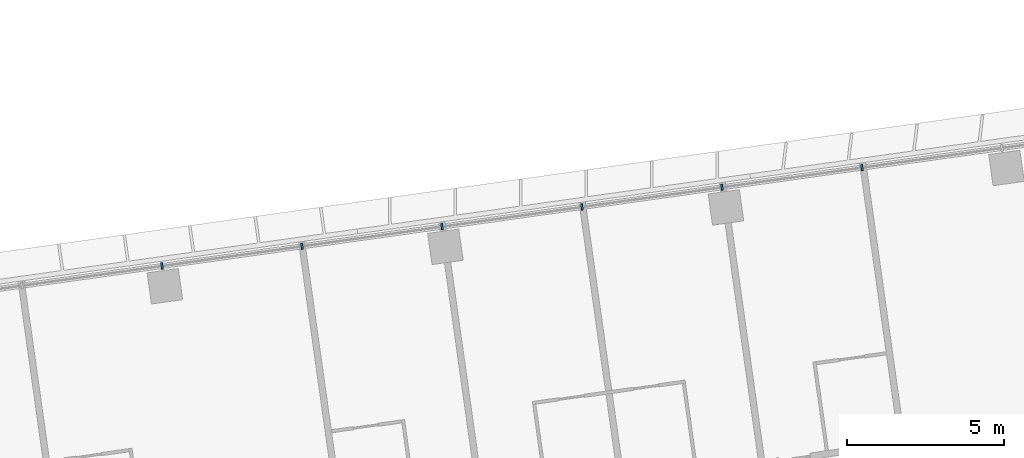
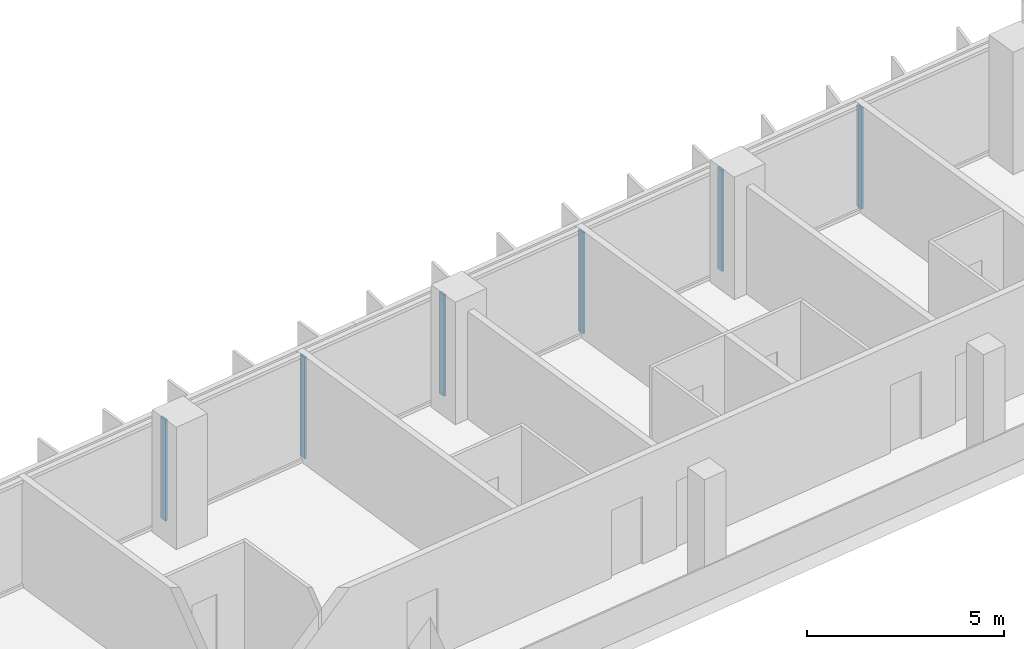
# One storey, part 10 of 25: 6 members, 1 element without a shape of its own.
"""IFC4 building model written with IfcOpenShell, lengths in metres."""

import ifcopenshell
import ifcopenshell.guid

model = None  # the IFC model being written
_history = None  # IfcOwnerHistory: only IFC2X3 demands one
_inside = {}  # id of a spatial element -> (the spatial element, [elements in it])
_under = {}  # id of a project, library or spatial element -> (it, [spatial elements below it])
_declared = {}  # id of a project -> (the project, [libraries it declares])
_typed = {}  # id of a type object -> (the type object, [elements of that type])
_made_of = {}  # id of a material, layer set ... -> (it, [elements and type objects made of it])


def new_model(schema):
    """Start an empty IFC model of exactly this schema.

    Asked for "IFC4X3", IfcOpenShell would pick the latest addendum, in which some entities
    have other attributes; the version numbers below select the first issue.
    IFC2X3 requires an IfcOwnerHistory on every rooted entity: one is made here for all.
    """
    global model, _history
    if schema == "IFC4X3":
        model = ifcopenshell.file(schema_version=(4, 3, 0, 0))
    else:
        model = ifcopenshell.file(schema=schema)
    _inside.clear()
    _under.clear()
    _declared.clear()
    _typed.clear()
    _made_of.clear()
    _history = None
    if model.schema == "IFC2X3":
        org = make("IfcOrganization", Name="unknown")
        user = make(
            "IfcPersonAndOrganization",
            ThePerson=make("IfcPerson", FamilyName="unknown"),
            TheOrganization=org,
        )
        app = make(
            "IfcApplication",
            ApplicationDeveloper=org,
            Version="unknown",
            ApplicationFullName="unknown",
            ApplicationIdentifier="unknown",
        )
        _history = make(
            "IfcOwnerHistory",
            OwningUser=user,
            OwningApplication=app,
            ChangeAction="ADDED",
            CreationDate=0,
        )
    return model


def make(cls, **values):
    """One entity of the class cls with the attributes given. An attribute that is None is left unset."""
    return model.create_entity(
        cls, **{name: value for name, value in values.items() if value is not None}
    )


def rooted(cls, **values):
    """An entity with a GlobalId (a new one), such as an element, a storey or a relation."""
    return make(cls, GlobalId=ifcopenshell.guid.new(), OwnerHistory=_history, **values)


def si_unit(unit_type, name, prefix=None):
    """IfcSIUnit, for example si_unit("LENGTHUNIT", "METRE", prefix="MILLI")."""
    return make("IfcSIUnit", UnitType=unit_type, Prefix=prefix, Name=name)


def assignment(units):
    """IfcUnitAssignment: the units of a project."""
    return None if units is None else make("IfcUnitAssignment", Units=units)


def point(xyz):
    """IfcCartesianPoint."""
    return None if xyz is None else make("IfcCartesianPoint", Coordinates=xyz)


def direction(xyz):
    """IfcDirection."""
    return None if xyz is None else make("IfcDirection", DirectionRatios=xyz)


def frame(location, z_axis=None, x_axis=None):
    """IfcAxis2Placement3D, a coordinate frame: its origin and axes. An axis left out is left unset."""
    return make(
        "IfcAxis2Placement3D",
        Location=point(location),
        Axis=direction(z_axis),
        RefDirection=direction(x_axis),
    )


def frame_2d(location, x_axis=None):
    """IfcAxis2Placement2D, a coordinate frame in the plane: its origin and x axis."""
    return make(
        "IfcAxis2Placement2D", Location=point(location), RefDirection=direction(x_axis)
    )


def origin():
    """The frame at (0, 0, 0) with its axes left unset."""
    return frame((0.0, 0.0, 0.0))


def origin_2d():
    """The frame at (0, 0) in the plane with its x axis left unset."""
    return frame_2d((0.0, 0.0))


def place(relative_to, where):
    """IfcLocalPlacement: puts the frame where relative to a parent placement (None: the world)."""
    return make(
        "IfcLocalPlacement", PlacementRelTo=relative_to, RelativePlacement=where
    )


def context(
    kind, dimensions, precision=None, world=None, true_north=None, identifier=None
):
    """IfcGeometricRepresentationContext, for example the 3D "Model" context."""
    return make(
        "IfcGeometricRepresentationContext",
        ContextIdentifier=identifier,
        ContextType=kind,
        CoordinateSpaceDimension=dimensions,
        Precision=precision,
        WorldCoordinateSystem=world,
        TrueNorth=true_north,
    )


def subcontext(parent, identifier, kind, view, scale=None):
    """IfcGeometricRepresentationSubContext, for example "Body" below "Model"."""
    return make(
        "IfcGeometricRepresentationSubContext",
        ContextIdentifier=identifier,
        ContextType=kind,
        ParentContext=parent,
        TargetScale=scale,
        TargetView=view,
    )


def project(units=None, contexts=None):
    """IfcProject with its units and contexts."""
    return rooted(
        "IfcProject",
        Name="project",
        RepresentationContexts=contexts,
        UnitsInContext=assignment(units),
    )


def spatial(cls, under=None, at=None, **own):
    """A site, building, storey or space (cls), placed at a placement, below another one or the project."""
    s = rooted(cls, ObjectPlacement=at, **own)
    if under is not None:
        _under.setdefault(under.id(), (under, []))[1].append(s)
    return s


def profile(cls, at=None, kind="AREA", **sizes):
    """A parametric profile (cls). Its sizes go by their IFC names, for example OverallWidth=200.0."""
    return make(cls, ProfileType=kind, Position=at, **sizes)


def rectangle(**sizes):
    """IfcRectangleProfileDef."""
    return profile("IfcRectangleProfileDef", **sizes)


def extrude(swept, where, along, depth):
    """IfcExtrudedAreaSolid: the profile swept, set in the frame where, extruded along a direction by depth."""
    return make(
        "IfcExtrudedAreaSolid",
        SweptArea=swept,
        Position=where,
        ExtrudedDirection=direction(along),
        Depth=depth,
    )


def shape(context_of_items, identifier, shape_type, items):
    """IfcShapeRepresentation: the items that make up one representation, for example the "Body"."""
    return make(
        "IfcShapeRepresentation",
        ContextOfItems=context_of_items,
        RepresentationIdentifier=identifier,
        RepresentationType=shape_type,
        Items=items,
    )


def material(Name=None, Category=None):
    """IfcMaterial."""
    return make("IfcMaterial", Name=Name, Category=Category)


def material_profile(
    of_material, cross_section, Name=None, Category=None, Priority=None
):
    """IfcMaterialProfile: a cross section and its material."""
    return make(
        "IfcMaterialProfile",
        Name=Name,
        Material=of_material,
        Profile=cross_section,
        Priority=Priority,
        Category=Category,
    )


def profile_set(profiles, Name=None, composite=None):
    """IfcMaterialProfileSet."""
    return make(
        "IfcMaterialProfileSet",
        Name=Name,
        MaterialProfiles=profiles,
        CompositeProfile=composite,
    )


def made_of(thing, what):
    """Note that an element or type object is made of a material, layer set ...; save() writes the relation."""
    if what is not None:
        _made_of.setdefault(what.id(), (what, []))[1].append(thing)
    return thing


def type_object(cls, material=None, **own):
    """A type object (cls), such as IfcWallType, which elements share."""
    return made_of(rooted(cls, **own), material)


def element(
    cls,
    number,
    at=None,
    inside=None,
    cuts=None,
    type_object=None,
    material=None,
    context=None,
    identifier="Body",
    shape_type=None,
    held_by="IfcProductDefinitionShape",
    body=None,
    shapes=None,
    **own,
):
    """One element of the class cls, such as IfcWall. Its Tag is "e" and its number.

    at: its placement. inside: the storey or other place that contains it. cuts: it is an
    opening in that element (IfcRelVoidsElement). A single representation is given by context,
    identifier, shape_type and body (its items); several are given by shapes. held_by: the class
    of the entity that holds the representations. save() writes the other relations.
    """
    e = rooted(cls, Tag="e%d" % number, ObjectPlacement=at, **own)
    if body is not None:
        shapes = [shape(context, identifier, shape_type, body)]
    if shapes is not None:
        e.Representation = make(held_by, Representations=shapes)
    if inside is not None:
        _inside.setdefault(inside.id(), (inside, []))[1].append(e)
    if cuts is not None:
        rooted(
            "IfcRelVoidsElement", RelatingBuildingElement=cuts, RelatedOpeningElement=e
        )
    if type_object is not None:
        _typed.setdefault(type_object.id(), (type_object, []))[1].append(e)
    return made_of(e, material)


def aggregate(whole, parts):
    """IfcRelAggregates: a whole, such as a stair, and the parts it consists of."""
    return rooted("IfcRelAggregates", RelatingObject=whole, RelatedObjects=parts)


def save(model, path):
    """Write the relations noted so far, then the file.

    IfcRelAggregates (storeys below a building ...), IfcRelContainedInSpatialStructure (elements
    in a storey), IfcRelDefinesByType, IfcRelAssociatesMaterial and IfcRelDeclares: one each for
    every whole, place, type object, material and project.
    """
    for whole, parts in _under.values():
        aggregate(whole, parts)
    for where, things in _inside.values():
        rooted(
            "IfcRelContainedInSpatialStructure",
            RelatedElements=things,
            RelatingStructure=where,
        )
    for kind, things in _typed.values():
        rooted("IfcRelDefinesByType", RelatedObjects=things, RelatingType=kind)
    for what, things in _made_of.values():
        rooted("IfcRelAssociatesMaterial", RelatedObjects=things, RelatingMaterial=what)
    for by, libraries in _declared.values():
        rooted("IfcRelDeclares", RelatingContext=by, RelatedDefinitions=libraries)
    model.write(path)


model = new_model("IFC4")

# Units and contexts
model_context = context("Model", 3, precision=1e-05, world=origin(), true_north=direction((0.0, 1.0)))
body_context = subcontext(model_context, "Body", "Model", "MODEL_VIEW")
ifc_project = project(units=[si_unit("LENGTHUNIT", "METRE"), si_unit("AREAUNIT", "SQUARE_METRE"), si_unit("VOLUMEUNIT", "CUBIC_METRE"), si_unit("PLANEANGLEUNIT", "RADIAN"), si_unit("MASSUNIT", "GRAM", prefix="KILO")], contexts=[model_context])

# Site, building, storey
site_placement = place(None, origin())
site = spatial("IfcSite", under=ifc_project, at=site_placement, CompositionType="ELEMENT")
building_placement = place(site_placement, origin())
building = spatial("IfcBuilding", under=site, at=building_placement, Name="Mirante Cascada Hotel Towers", CompositionType="ELEMENT")
storey_placement = place(building_placement, frame((0.0, 0.0, 69.9)))
storey = spatial("IfcBuildingStorey", under=building, at=storey_placement, Name="L14", CompositionType="ELEMENT", Elevation=69.9)

# Curtain wall, members
ifc_material_1 = material(Name="Aluminium mullion and transom frame with clear laminated glass", Category="aluminium")
curtain_wall_type = type_object("IfcCurtainWallType", Name="Ribbon curtain wall ECW1", PredefinedType="NOTDEFINED", material=ifc_material_1)
curtain_wall_placement = place(storey_placement, origin())
curtain_wall = element("IfcCurtainWall", 1, at=curtain_wall_placement, inside=storey, type_object=curtain_wall_type, Name="Front ribbon wall T2 L14", PredefinedType="NOTDEFINED")
ifc_material_2 = material(Name="Anodised aluminium extrusion", Category="aluminium")
ifc_material_profile = material_profile(ifc_material_2, rectangle(XDim=0.2, YDim=0.065, at=origin_2d()), Name="ECW1 MULLION 65x200")
ifc_profile_set = profile_set([ifc_material_profile], Name="Anodised aluminium extrusion")
member_type = type_object("IfcMemberType", Name="ECW1 mullion 65x200", PredefinedType="MULLION", material=ifc_profile_set)
member_1_placement = place(storey_placement, frame((85.2633, 24.802, 0.1), z_axis=(0.0, 0.0, 1.0), x_axis=(0.1391731, -0.9902681, 0.0)))
member_1 = element("IfcMember", 2, at=member_1_placement, type_object=member_type, Name="ECW1 mullion 3", PredefinedType="MULLION", context=body_context, shape_type="SweptSolid", body=[
    extrude(rectangle(XDim=0.2, YDim=0.065, at=origin_2d()), origin(), (0.0, 0.0, 1.0), 3.15),
])
member_2_placement = place(storey_placement, frame((80.8159, 24.177, 0.1), z_axis=(0.0, 0.0, 1.0), x_axis=(0.1391731, -0.9902681, 0.0)))
member_2 = element("IfcMember", 3, at=member_2_placement, type_object=member_type, Name="ECW1 mullion 4", PredefinedType="MULLION", context=body_context, shape_type="SweptSolid", body=[
    extrude(rectangle(XDim=0.2, YDim=0.065, at=origin_2d()), origin(), (0.0, 0.0, 1.0), 3.15),
])
member_3_placement = place(storey_placement, frame((76.3685, 23.5519, 0.1), z_axis=(0.0, 0.0, 1.0), x_axis=(0.1391731, -0.9902681, 0.0)))
member_3 = element("IfcMember", 4, at=member_3_placement, type_object=member_type, Name="ECW1 mullion 5", PredefinedType="MULLION", context=body_context, shape_type="SweptSolid", body=[
    extrude(rectangle(XDim=0.2, YDim=0.065, at=origin_2d()), origin(), (0.0, 0.0, 1.0), 3.15),
])
member_4_placement = place(storey_placement, frame((71.9211, 22.9269, 0.1), z_axis=(0.0, 0.0, 1.0), x_axis=(0.1391731, -0.9902681, 0.0)))
member_4 = element("IfcMember", 5, at=member_4_placement, type_object=member_type, Name="ECW1 mullion 6", PredefinedType="MULLION", context=body_context, shape_type="SweptSolid", body=[
    extrude(rectangle(XDim=0.2, YDim=0.065, at=origin_2d()), origin(), (0.0, 0.0, 1.0), 3.15),
])
member_5_placement = place(storey_placement, frame((67.4737, 22.3018, 0.1), z_axis=(0.0, 0.0, 1.0), x_axis=(0.1391731, -0.9902681, 0.0)))
member_5 = element("IfcMember", 6, at=member_5_placement, type_object=member_type, Name="ECW1 mullion 7", PredefinedType="MULLION", context=body_context, shape_type="SweptSolid", body=[
    extrude(rectangle(XDim=0.2, YDim=0.065, at=origin_2d()), origin(), (0.0, 0.0, 1.0), 3.15),
])
member_6_placement = place(storey_placement, frame((63.0262, 21.6768, 0.1), z_axis=(0.0, 0.0, 1.0), x_axis=(0.1391731, -0.9902681, 0.0)))
member_6 = element("IfcMember", 7, at=member_6_placement, type_object=member_type, Name="ECW1 mullion 8", PredefinedType="MULLION", context=body_context, shape_type="SweptSolid", body=[
    extrude(rectangle(XDim=0.2, YDim=0.065, at=origin_2d()), origin(), (0.0, 0.0, 1.0), 3.15),
])
aggregate(curtain_wall, [member_1, member_2, member_3, member_4, member_5, member_6])

save(model, "model.ifc")
